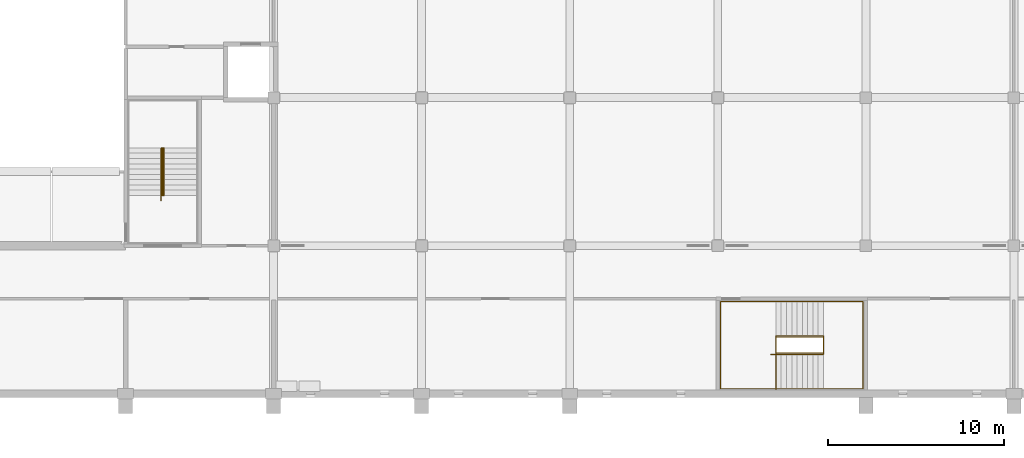
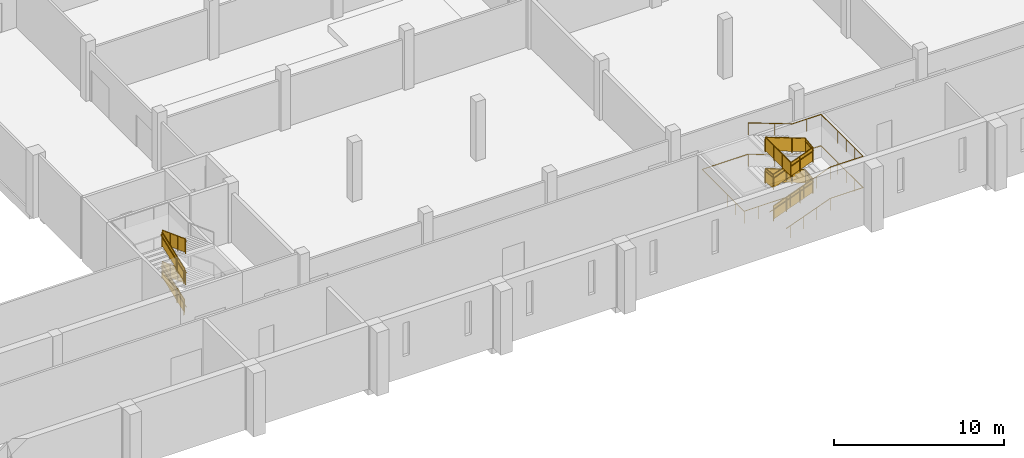
# One storey, part 55 of 64: 8 railings.
"""IFC4 building model written with IfcOpenShell, lengths in metres."""

from ifc_helpers import new_model, si_unit, direction, frame, origin, origin_2d, place, context, subcontext, project, spatial, polyline, circle, outline, extrude, material, type_object, element, save


model = new_model("IFC4")

# Units and contexts
model_context = context("Model", 3, precision=1e-05, world=origin(), true_north=direction((0.0, 1.0)))
body_context = subcontext(model_context, "Body", "Model", "MODEL_VIEW")
ifc_project = project(units=[si_unit("LENGTHUNIT", "METRE"), si_unit("AREAUNIT", "SQUARE_METRE"), si_unit("VOLUMEUNIT", "CUBIC_METRE"), si_unit("PLANEANGLEUNIT", "RADIAN"), si_unit("MASSUNIT", "GRAM", prefix="KILO")], contexts=[model_context])

# Site, building, storey
site_placement = place(None, origin())
site = spatial("IfcSite", under=ifc_project, at=site_placement, CompositionType="ELEMENT")
building_placement = place(site_placement, origin())
building = spatial("IfcBuilding", under=site, at=building_placement, Name="Rulbaag Community and Learning Centre", CompositionType="ELEMENT")
storey_placement = place(building_placement, frame((0.0, 0.0, 5.39990234375)))
storey = spatial("IfcBuildingStorey", under=building, at=storey_placement, Name="L01", CompositionType="ELEMENT", Elevation=5.39990234375)

# Railings
ifc_material_1 = material(Name="Galvanised mild steel", Category="steel")
railing_type_1 = type_object("IfcRailingType", Name="GR-1100 GUARD 1100", PredefinedType="GUARDRAIL", material=ifc_material_1)
railing_1_placement = place(storey_placement, frame((86.080078125, 11.25, 0.112548828125)))
element("IfcRailing", 1, at=railing_1_placement, inside=storey, type_object=railing_type_1, Name="Guard SH2 L01 G", PredefinedType="GUARDRAIL", context=body_context, shape_type="SweptSolid", body=[
    extrude(circle(Radius=0.02490234375, at=origin_2d()), frame((0.0, 0.0, 1.0751953125), z_axis=(0.0, 0.93633265699, 0.351114162993), x_axis=(-1.0, 0.0, 0.0)), (0.0, 0.0, 1.0), 2.883544921875),
    extrude(circle(Radius=0.02001953125, at=origin_2d()), origin(), (0.0, 0.0, 1.0), 1.050048828125),
    extrude(circle(Radius=0.02001953125, at=origin_2d()), frame((0.0, 0.89990234375, 0.33740234375)), (0.0, 0.0, 1.0), 1.050048828125),
    extrude(circle(Radius=0.02001953125, at=origin_2d()), frame((0.0, 1.800048828125, 0.675048828125)), (0.0, 0.0, 1.0), 1.050048828125),
    extrude(circle(Radius=0.02001953125, at=origin_2d()), frame((0.0, 2.699951171875, 1.012451171875)), (0.0, 0.0, 1.0), 1.050048828125),
    extrude(outline(polyline([(0.0, 0.0), (2.699951171875, 1.012451171875), (2.699951171875, 1.96240234375), (0.0, 0.949951171875), (0.0, 0.0)])), frame((-0.0048828125, 0.0, 0.10009765625), z_axis=(1.0, 0.0, 0.0), x_axis=(0.0, 1.0, 0.0)), (0.0, 0.0, 1.0), 0.010009765625),
])
railing_2_placement = place(storey_placement, frame((86.1201171875, 13.949951171875, 1.237548828125)))
element("IfcRailing", 2, at=railing_2_placement, inside=storey, type_object=railing_type_1, Name="Guard SH2 L01 G2", PredefinedType="GUARDRAIL", context=body_context, shape_type="SweptSolid", body=[
    extrude(circle(Radius=0.02490234375, at=origin_2d()), frame((0.0, 0.0, 1.0751953125), z_axis=(0.0, -0.93633265699, 0.351114162993), x_axis=(1.0, 0.0, 0.0)), (0.0, 0.0, 1.0), 2.883544921875),
    extrude(circle(Radius=0.02001953125, at=origin_2d()), origin(), (0.0, 0.0, 1.0), 1.050048828125),
    extrude(circle(Radius=0.02001953125, at=origin_2d()), frame((0.0, -0.89990234375, 0.33740234375)), (0.0, 0.0, 1.0), 1.050048828125),
    extrude(circle(Radius=0.02001953125, at=origin_2d()), frame((0.0, -1.800048828125, 0.675048828125)), (0.0, 0.0, 1.0), 1.050048828125),
    extrude(circle(Radius=0.02001953125, at=origin_2d()), frame((0.0, -2.699951171875, 1.012451171875)), (0.0, 0.0, 1.0), 1.050048828125),
    extrude(outline(polyline([(0.0, 0.0), (2.699951171875, 1.012451171875), (2.699951171875, 1.96240234375), (0.0, 0.949951171875), (0.0, 0.0)])), frame((0.0048828125, 0.0, 0.10009765625), z_axis=(-1.0, 0.0, 0.0), x_axis=(0.0, -1.0, 0.0)), (0.0, 0.0, 1.0), 0.010009765625),
])
railing_3_placement = place(storey_placement, frame((86.080078125, 11.25, 2.362548828125)))
element("IfcRailing", 3, at=railing_3_placement, inside=storey, type_object=railing_type_1, Name="Guard SH2 L01 G3", PredefinedType="GUARDRAIL", context=body_context, shape_type="SweptSolid", body=[
    extrude(circle(Radius=0.02490234375, at=origin_2d()), frame((0.0, 0.0, 1.0751953125), z_axis=(0.0, 0.93633265699, 0.351114162993), x_axis=(-1.0, 0.0, 0.0)), (0.0, 0.0, 1.0), 2.883544921875),
    extrude(circle(Radius=0.02001953125, at=origin_2d()), origin(), (0.0, 0.0, 1.0), 1.050048828125),
    extrude(circle(Radius=0.02001953125, at=origin_2d()), frame((0.0, 0.89990234375, 0.33740234375)), (0.0, 0.0, 1.0), 1.050048828125),
    extrude(circle(Radius=0.02001953125, at=origin_2d()), frame((0.0, 1.800048828125, 0.675048828125)), (0.0, 0.0, 1.0), 1.050048828125),
    extrude(circle(Radius=0.02001953125, at=origin_2d()), frame((0.0, 2.699951171875, 1.012451171875)), (0.0, 0.0, 1.0), 1.050048828125),
    extrude(outline(polyline([(0.0, 0.0), (2.699951171875, 1.012451171875), (2.699951171875, 1.96240234375), (0.0, 0.949951171875), (0.0, 0.0)])), frame((-0.0048828125, 0.0, 0.10009765625), z_axis=(1.0, 0.0, 0.0), x_axis=(0.0, 1.0, 0.0)), (0.0, 0.0, 1.0), 0.010009765625),
])
railing_4_placement = place(storey_placement, frame((86.1201171875, 13.949951171875, 3.487548828125)))
element("IfcRailing", 4, at=railing_4_placement, inside=storey, type_object=railing_type_1, Name="Guard SH2 L01 G4", PredefinedType="GUARDRAIL", context=body_context, shape_type="SweptSolid", body=[
    extrude(circle(Radius=0.02490234375, at=origin_2d()), frame((0.0, 0.0, 1.0751953125), z_axis=(0.0, -0.93633265699, 0.351114162993), x_axis=(1.0, 0.0, 0.0)), (0.0, 0.0, 1.0), 2.883544921875),
    extrude(circle(Radius=0.02001953125, at=origin_2d()), origin(), (0.0, 0.0, 1.0), 1.050048828125),
    extrude(circle(Radius=0.02001953125, at=origin_2d()), frame((0.0, -0.89990234375, 0.33740234375)), (0.0, 0.0, 1.0), 1.050048828125),
    extrude(circle(Radius=0.02001953125, at=origin_2d()), frame((0.0, -1.800048828125, 0.675048828125)), (0.0, 0.0, 1.0), 1.050048828125),
    extrude(circle(Radius=0.02001953125, at=origin_2d()), frame((0.0, -2.699951171875, 1.012451171875)), (0.0, 0.0, 1.0), 1.050048828125),
    extrude(outline(polyline([(0.0, 0.0), (2.699951171875, 1.012451171875), (2.699951171875, 1.96240234375), (0.0, 0.949951171875), (0.0, 0.0)])), frame((0.0048828125, 0.0, 0.10009765625), z_axis=(-1.0, 0.0, 0.0), x_axis=(0.0, -1.0, 0.0)), (0.0, 0.0, 1.0), 0.010009765625),
])
railing_5_placement = place(storey_placement, frame((120.89990234375, 2.304931640625, 0.112548828125)))
element("IfcRailing", 5, at=railing_5_placement, inside=storey, type_object=railing_type_1, Name="Guard SH11 L01 G", PredefinedType="GUARDRAIL", context=body_context, shape_type="SweptSolid", body=[
    extrude(circle(Radius=0.02490234375, at=origin_2d()), frame((0.0, 0.0, 1.0751953125), z_axis=(0.936343093598, 0.0, 0.351086329941), x_axis=(0.0, 1.0, 0.0)), (0.0, 0.0, 1.0), 2.8837890625),
    extrude(circle(Radius=0.02490234375, at=origin_2d()), frame((2.7001953125, 0.0, 2.08740234375), z_axis=(0.0, 0.992520392836, 0.122078949065), x_axis=(-1.0, 0.0, 0.0)), (0.0, 0.0, 1.0), 0.921875),
    extrude(circle(Radius=0.02490234375, at=origin_2d()), frame((2.7001953125, 0.9150390625, 2.2001953125), z_axis=(-0.936343093598, 0.0, 0.351086329941), x_axis=(0.0, -1.0, 0.0)), (0.0, 0.0, 1.0), 2.8837890625),
    extrude(circle(Radius=0.02490234375, at=origin_2d()), frame((0.0, 0.9150390625, 3.21240234375), z_axis=(0.0, -0.992520392836, 0.122078949065), x_axis=(1.0, 0.0, 0.0)), (0.0, 0.0, 1.0), 0.921875),
    extrude(circle(Radius=0.02490234375, at=origin_2d()), frame((0.0, 0.0, 3.3251953125), z_axis=(0.936343093598, 0.0, 0.351086329941), x_axis=(0.0, 1.0, 0.0)), (0.0, 0.0, 1.0), 2.8837890625),
    extrude(circle(Radius=0.02490234375, at=origin_2d()), frame((2.7001953125, 0.0, 4.33740234375), z_axis=(0.0, 0.992520392836, 0.122078949065), x_axis=(-1.0, 0.0, 0.0)), (0.0, 0.0, 1.0), 0.921875),
    extrude(circle(Radius=0.02490234375, at=origin_2d()), frame((2.7001953125, 0.9150390625, 4.4501953125), z_axis=(-0.936343093598, 0.0, 0.351086329941), x_axis=(0.0, -1.0, 0.0)), (0.0, 0.0, 1.0), 2.8837890625),
    extrude(circle(Radius=0.02490234375, at=origin_2d()), frame((0.0, 0.9150390625, 5.46240234375), z_axis=(0.0, -1.0, 0.0), x_axis=(1.0, 0.0, 0.0)), (0.0, 0.0, 1.0), 2.994873046875),
    extrude(circle(Radius=0.02001953125, at=origin_2d()), origin(), (0.0, 0.0, 1.0), 1.050048828125),
    extrude(circle(Radius=0.02001953125, at=origin_2d()), frame((0.900146484375, 0.0, 0.33740234375)), (0.0, 0.0, 1.0), 1.050048828125),
    extrude(circle(Radius=0.02001953125, at=origin_2d()), frame((1.800048828125, 0.0, 0.675048828125)), (0.0, 0.0, 1.0), 1.050048828125),
    extrude(circle(Radius=0.02001953125, at=origin_2d()), frame((2.7001953125, 0.0, 1.012451171875)), (0.0, 0.0, 1.0), 1.050048828125),
    extrude(circle(Radius=0.02001953125, at=origin_2d()), frame((2.7001953125, 0.9150390625, 1.125)), (0.0, 0.0, 1.0), 1.050048828125),
    extrude(circle(Radius=0.02001953125, at=origin_2d()), frame((1.800048828125, 0.9150390625, 1.46240234375)), (0.0, 0.0, 1.0), 1.050048828125),
    extrude(circle(Radius=0.02001953125, at=origin_2d()), frame((0.900146484375, 0.9150390625, 1.800048828125)), (0.0, 0.0, 1.0), 1.050048828125),
    extrude(circle(Radius=0.02001953125, at=origin_2d()), frame((0.0, 0.9150390625, 2.137451171875)), (0.0, 0.0, 1.0), 1.050048828125),
    extrude(circle(Radius=0.02001953125, at=origin_2d()), frame((0.0, 0.0, 2.25)), (0.0, 0.0, 1.0), 1.050048828125),
    extrude(circle(Radius=0.02001953125, at=origin_2d()), frame((0.900146484375, 0.0, 2.58740234375)), (0.0, 0.0, 1.0), 1.050048828125),
    extrude(circle(Radius=0.02001953125, at=origin_2d()), frame((1.800048828125, 0.0, 2.925048828125)), (0.0, 0.0, 1.0), 1.050048828125),
    extrude(circle(Radius=0.02001953125, at=origin_2d()), frame((2.7001953125, 0.0, 3.262451171875)), (0.0, 0.0, 1.0), 1.050048828125),
    extrude(circle(Radius=0.02001953125, at=origin_2d()), frame((2.7001953125, 0.9150390625, 3.375)), (0.0, 0.0, 1.0), 1.050048828125),
    extrude(circle(Radius=0.02001953125, at=origin_2d()), frame((1.800048828125, 0.9150390625, 3.71240234375)), (0.0, 0.0, 1.0), 1.050048828125),
    extrude(circle(Radius=0.02001953125, at=origin_2d()), frame((0.900146484375, 0.9150390625, 4.050048828125)), (0.0, 0.0, 1.0), 1.050048828125),
    extrude(circle(Radius=0.02001953125, at=origin_2d()), frame((0.0, 0.9150390625, 4.387451171875)), (0.0, 0.0, 1.0), 1.050048828125),
    extrude(circle(Radius=0.02001953125, at=origin_2d()), frame((0.0, -0.083251953125, 4.387451171875)), (0.0, 0.0, 1.0), 1.050048828125),
    extrude(circle(Radius=0.02001953125, at=origin_2d()), frame((0.0, -1.08154296875, 4.387451171875)), (0.0, 0.0, 1.0), 1.050048828125),
    extrude(circle(Radius=0.02001953125, at=origin_2d()), frame((0.0, -2.079833984375, 4.387451171875)), (0.0, 0.0, 1.0), 1.050048828125),
    extrude(outline(polyline([(0.0, 0.0), (2.7001953125, 1.012451171875), (2.7001953125, 1.96240234375), (0.0, 0.949951171875), (0.0, 0.0)])), frame((0.0, 0.0048828125, 0.10009765625), z_axis=(0.0, -1.0, 0.0), x_axis=(1.0, 0.0, 0.0)), (0.0, 0.0, 1.0), 0.010009765625),
    extrude(outline(polyline([(0.0, 0.0), (0.9150390625, 0.112548828125), (0.9150390625, 1.0625), (0.0, 0.949951171875), (0.0, 0.0)])), frame((2.6953125, 0.0, 1.112548828125), z_axis=(1.0, 0.0, 0.0), x_axis=(0.0, 1.0, 0.0)), (0.0, 0.0, 1.0), 0.010009765625),
    extrude(outline(polyline([(0.0, 0.0), (2.7001953125, 1.012451171875), (2.7001953125, 1.96240234375), (0.0, 0.949951171875), (0.0, 0.0)])), frame((2.7001953125, 0.91015625, 1.22509765625), z_axis=(0.0, 1.0, 0.0), x_axis=(-1.0, 0.0, 0.0)), (0.0, 0.0, 1.0), 0.010009765625),
    extrude(outline(polyline([(0.0, 0.0), (0.9150390625, 0.112548828125), (0.9150390625, 1.0625), (0.0, 0.949951171875), (0.0, 0.0)])), frame((0.0048828125, 0.9150390625, 2.237548828125), z_axis=(-1.0, 0.0, 0.0), x_axis=(0.0, -1.0, 0.0)), (0.0, 0.0, 1.0), 0.010009765625),
    extrude(outline(polyline([(0.0, 0.0), (2.7001953125, 1.012451171875), (2.7001953125, 1.96240234375), (0.0, 0.949951171875), (0.0, 0.0)])), frame((0.0, 0.0048828125, 2.35009765625), z_axis=(0.0, -1.0, 0.0), x_axis=(1.0, 0.0, 0.0)), (0.0, 0.0, 1.0), 0.010009765625),
    extrude(outline(polyline([(0.0, 0.0), (0.9150390625, 0.112548828125), (0.9150390625, 1.0625), (0.0, 0.949951171875), (0.0, 0.0)])), frame((2.6953125, 0.0, 3.362548828125), z_axis=(1.0, 0.0, 0.0), x_axis=(0.0, 1.0, 0.0)), (0.0, 0.0, 1.0), 0.010009765625),
    extrude(outline(polyline([(0.0, 0.0), (2.7001953125, 1.012451171875), (2.7001953125, 1.96240234375), (0.0, 0.949951171875), (0.0, 0.0)])), frame((2.7001953125, 0.91015625, 3.47509765625), z_axis=(0.0, 1.0, 0.0), x_axis=(-1.0, 0.0, 0.0)), (0.0, 0.0, 1.0), 0.010009765625),
    extrude(outline(polyline([(0.0, 0.0), (2.994873046875, 0.0), (2.994873046875, 0.949951171875), (0.0, 0.949951171875), (0.0, 0.0)])), frame((0.0048828125, 0.9150390625, 4.487548828125), z_axis=(-1.0, 0.0, 0.0), x_axis=(0.0, -1.0, 0.0)), (0.0, 0.0, 1.0), 0.010009765625),
])
ifc_material_2 = material(Name="Stainless steel grade 316", Category="steel")
railing_type_2 = type_object("IfcRailingType", Name="HR-900 HANDRAIL 900", PredefinedType="HANDRAIL", material=ifc_material_2)
railing_6_placement = place(storey_placement, frame((86.010009765625, 10.949951171875, 0.0)))
element("IfcRailing", 6, at=railing_6_placement, inside=storey, type_object=railing_type_2, Name="Handrail SH2 L01 I", PredefinedType="HANDRAIL", context=body_context, shape_type="SweptSolid", body=[
    extrude(circle(Radius=0.024169921875, at=origin_2d()), frame((0.0, 0.0, 0.875732421875), z_axis=(0.0, 0.936297865471, 0.351206929196), x_axis=(-1.0, 0.0, 0.0)), (0.0, 0.0, 1.0), 0.320556640625),
    extrude(circle(Radius=0.024169921875, at=origin_2d()), frame((0.0, 0.300048828125, 0.98828125), z_axis=(0.0, 0.93633265699, 0.351114162993), x_axis=(-1.0, 0.0, 0.0)), (0.0, 0.0, 1.0), 2.883544921875),
    extrude(circle(Radius=0.024169921875, at=origin_2d()), frame((0.0, 3.0, 2.000732421875), z_axis=(0.847804368873, 0.0, 0.530309109973), x_axis=(0.0, 1.0, 0.0)), (0.0, 0.0, 1.0), 0.212158203125),
    extrude(circle(Radius=0.024169921875, at=origin_2d()), frame((0.179931640625, 3.0, 2.11328125), z_axis=(0.0, -0.93633265699, 0.351114162993), x_axis=(1.0, 0.0, 0.0)), (0.0, 0.0, 1.0), 2.883544921875),
    extrude(circle(Radius=0.024169921875, at=origin_2d()), frame((0.179931640625, 0.300048828125, 3.125732421875), z_axis=(-0.847804368873, 0.0, 0.530309109973), x_axis=(0.0, -1.0, 0.0)), (0.0, 0.0, 1.0), 0.212158203125),
    extrude(circle(Radius=0.024169921875, at=origin_2d()), frame((0.0, 0.300048828125, 3.23828125), z_axis=(0.0, 0.93633265699, 0.351114162993), x_axis=(-1.0, 0.0, 0.0)), (0.0, 0.0, 1.0), 2.883544921875),
    extrude(circle(Radius=0.024169921875, at=origin_2d()), frame((0.0, 3.0, 4.250732421875), z_axis=(0.847804368873, 0.0, 0.530309109973), x_axis=(0.0, 1.0, 0.0)), (0.0, 0.0, 1.0), 0.212158203125),
    extrude(circle(Radius=0.024169921875, at=origin_2d()), frame((0.179931640625, 3.0, 4.36328125), z_axis=(0.0, -0.93633265699, 0.351114162993), x_axis=(1.0, 0.0, 0.0)), (0.0, 0.0, 1.0), 2.883544921875),
    extrude(circle(Radius=0.008056640625, at=origin_2d()), origin(), (0.0, 0.0, 1.0), 0.8515625),
    extrude(circle(Radius=0.008056640625, at=origin_2d()), frame((0.0, 0.300048828125, 0.112548828125)), (0.0, 0.0, 1.0), 0.8515625),
    extrude(circle(Radius=0.008056640625, at=origin_2d()), frame((0.0, 1.199951171875, 0.449951171875)), (0.0, 0.0, 1.0), 0.8515625),
    extrude(circle(Radius=0.008056640625, at=origin_2d()), frame((0.0, 2.10009765625, 0.78759765625)), (0.0, 0.0, 1.0), 0.8515625),
    extrude(circle(Radius=0.008056640625, at=origin_2d()), frame((0.0, 3.0, 1.125)), (0.0, 0.0, 1.0), 0.8515625),
    extrude(circle(Radius=0.008056640625, at=origin_2d()), frame((0.179931640625, 3.0, 1.237548828125)), (0.0, 0.0, 1.0), 0.8515625),
    extrude(circle(Radius=0.008056640625, at=origin_2d()), frame((0.179931640625, 2.10009765625, 1.574951171875)), (0.0, 0.0, 1.0), 0.8515625),
    extrude(circle(Radius=0.008056640625, at=origin_2d()), frame((0.179931640625, 1.199951171875, 1.91259765625)), (0.0, 0.0, 1.0), 0.8515625),
    extrude(circle(Radius=0.008056640625, at=origin_2d()), frame((0.179931640625, 0.300048828125, 2.25)), (0.0, 0.0, 1.0), 0.8515625),
    extrude(circle(Radius=0.008056640625, at=origin_2d()), frame((0.0, 0.300048828125, 2.362548828125)), (0.0, 0.0, 1.0), 0.8515625),
    extrude(circle(Radius=0.008056640625, at=origin_2d()), frame((0.0, 1.199951171875, 2.699951171875)), (0.0, 0.0, 1.0), 0.8515625),
    extrude(circle(Radius=0.008056640625, at=origin_2d()), frame((0.0, 2.10009765625, 3.03759765625)), (0.0, 0.0, 1.0), 0.8515625),
    extrude(circle(Radius=0.008056640625, at=origin_2d()), frame((0.0, 3.0, 3.375)), (0.0, 0.0, 1.0), 0.8515625),
    extrude(circle(Radius=0.008056640625, at=origin_2d()), frame((0.179931640625, 3.0, 3.487548828125)), (0.0, 0.0, 1.0), 0.8515625),
    extrude(circle(Radius=0.008056640625, at=origin_2d()), frame((0.179931640625, 2.10009765625, 3.824951171875)), (0.0, 0.0, 1.0), 0.8515625),
    extrude(circle(Radius=0.008056640625, at=origin_2d()), frame((0.179931640625, 1.199951171875, 4.16259765625)), (0.0, 0.0, 1.0), 0.8515625),
    extrude(circle(Radius=0.008056640625, at=origin_2d()), frame((0.179931640625, 0.300048828125, 4.5)), (0.0, 0.0, 1.0), 0.8515625),
])
railing_7_placement = place(storey_placement, frame((120.60009765625, 0.284912109375, 0.0)))
element("IfcRailing", 7, at=railing_7_placement, inside=storey, type_object=railing_type_2, Name="Handrail SH11 L01 O", PredefinedType="HANDRAIL", context=body_context, shape_type="SweptSolid", body=[
    extrude(circle(Radius=0.024169921875, at=origin_2d()), frame((0.0, 0.0, 0.875732421875), z_axis=(0.936203795034, 0.0, 0.351457613608), x_axis=(0.0, 1.0, 0.0)), (0.0, 0.0, 1.0), 0.3203125),
    extrude(circle(Radius=0.024169921875, at=origin_2d()), frame((0.2998046875, 0.0, 0.98828125), z_axis=(0.936343093598, 0.0, 0.351086329941), x_axis=(0.0, 1.0, 0.0)), (0.0, 0.0, 1.0), 2.8837890625),
    extrude(circle(Radius=0.024169921875, at=origin_2d()), frame((3.0, 0.0, 2.000732421875), z_axis=(1.0, 0.0, 0.0), x_axis=(0.0, 1.0, 0.0)), (0.0, 0.0, 1.0), 2.239990234375),
    extrude(circle(Radius=0.024169921875, at=origin_2d()), frame((5.239990234375, 0.0, 2.000732421875), z_axis=(0.0, 1.0, 0.0), x_axis=(-1.0, 0.0, 0.0)), (0.0, 0.0, 1.0), 4.955078125),
    extrude(circle(Radius=0.024169921875, at=origin_2d()), frame((5.239990234375, 4.955078125, 2.000732421875), z_axis=(-1.0, 0.0, 0.0), x_axis=(0.0, -1.0, 0.0)), (0.0, 0.0, 1.0), 1.940185546875),
    extrude(circle(Radius=0.024169921875, at=origin_2d()), frame((3.2998046875, 4.955078125, 2.000732421875), z_axis=(-0.936203795034, 0.0, 0.351457613608), x_axis=(0.0, -1.0, 0.0)), (0.0, 0.0, 1.0), 0.3203125),
    extrude(circle(Radius=0.024169921875, at=origin_2d()), frame((3.0, 4.955078125, 2.11328125), z_axis=(-0.936343093598, 0.0, 0.351086329941), x_axis=(0.0, -1.0, 0.0)), (0.0, 0.0, 1.0), 2.8837890625),
    extrude(circle(Radius=0.024169921875, at=origin_2d()), frame((0.2998046875, 4.955078125, 3.125732421875), z_axis=(-1.0, 0.0, 0.0), x_axis=(0.0, -1.0, 0.0)), (0.0, 0.0, 1.0), 3.139892578125),
    extrude(circle(Radius=0.024169921875, at=origin_2d()), frame((-2.840087890625, 4.955078125, 3.125732421875), z_axis=(0.0, -1.0, 0.0), x_axis=(1.0, 0.0, 0.0)), (0.0, 0.0, 1.0), 4.955078125),
    extrude(circle(Radius=0.024169921875, at=origin_2d()), frame((-2.840087890625, 0.0, 3.125732421875), z_axis=(1.0, 0.0, 0.0), x_axis=(0.0, 1.0, 0.0)), (0.0, 0.0, 1.0), 2.840087890625),
    extrude(circle(Radius=0.024169921875, at=origin_2d()), frame((0.0, 0.0, 3.125732421875), z_axis=(0.936203795034, 0.0, 0.351457613608), x_axis=(0.0, 1.0, 0.0)), (0.0, 0.0, 1.0), 0.3203125),
    extrude(circle(Radius=0.024169921875, at=origin_2d()), frame((0.2998046875, 0.0, 3.23828125), z_axis=(0.936343093598, 0.0, 0.351086329941), x_axis=(0.0, 1.0, 0.0)), (0.0, 0.0, 1.0), 2.8837890625),
    extrude(circle(Radius=0.024169921875, at=origin_2d()), frame((3.0, 0.0, 4.250732421875), z_axis=(1.0, 0.0, 0.0), x_axis=(0.0, 1.0, 0.0)), (0.0, 0.0, 1.0), 2.239990234375),
    extrude(circle(Radius=0.024169921875, at=origin_2d()), frame((5.239990234375, 0.0, 4.250732421875), z_axis=(0.0, 1.0, 0.0), x_axis=(-1.0, 0.0, 0.0)), (0.0, 0.0, 1.0), 4.955078125),
    extrude(circle(Radius=0.024169921875, at=origin_2d()), frame((5.239990234375, 4.955078125, 4.250732421875), z_axis=(-1.0, 0.0, 0.0), x_axis=(0.0, -1.0, 0.0)), (0.0, 0.0, 1.0), 1.940185546875),
    extrude(circle(Radius=0.024169921875, at=origin_2d()), frame((3.2998046875, 4.955078125, 4.250732421875), z_axis=(-0.936203795034, 0.0, 0.351457613608), x_axis=(0.0, -1.0, 0.0)), (0.0, 0.0, 1.0), 0.3203125),
    extrude(circle(Radius=0.024169921875, at=origin_2d()), frame((3.0, 4.955078125, 4.36328125), z_axis=(-0.936343093598, 0.0, 0.351086329941), x_axis=(0.0, -1.0, 0.0)), (0.0, 0.0, 1.0), 2.8837890625),
    extrude(circle(Radius=0.008056640625, at=origin_2d()), origin(), (0.0, 0.0, 1.0), 0.8515625),
    extrude(circle(Radius=0.008056640625, at=origin_2d()), frame((0.2998046875, 0.0, 0.112548828125)), (0.0, 0.0, 1.0), 0.8515625),
    extrude(circle(Radius=0.008056640625, at=origin_2d()), frame((1.199951171875, 0.0, 0.449951171875)), (0.0, 0.0, 1.0), 0.8515625),
    extrude(circle(Radius=0.008056640625, at=origin_2d()), frame((2.099853515625, 0.0, 0.78759765625)), (0.0, 0.0, 1.0), 0.8515625),
    extrude(circle(Radius=0.008056640625, at=origin_2d()), frame((3.0, 0.0, 1.125)), (0.0, 0.0, 1.0), 0.8515625),
    extrude(circle(Radius=0.008056640625, at=origin_2d()), frame((4.1201171875, 0.0, 1.125)), (0.0, 0.0, 1.0), 0.8515625),
    extrude(circle(Radius=0.008056640625, at=origin_2d()), frame((5.239990234375, 0.0, 1.125)), (0.0, 0.0, 1.0), 0.8515625),
    extrude(circle(Radius=0.008056640625, at=origin_2d()), frame((5.239990234375, 0.990966796875, 1.125)), (0.0, 0.0, 1.0), 0.8515625),
    extrude(circle(Radius=0.008056640625, at=origin_2d()), frame((5.239990234375, 1.98193359375, 1.125)), (0.0, 0.0, 1.0), 0.8515625),
    extrude(circle(Radius=0.008056640625, at=origin_2d()), frame((5.239990234375, 2.97314453125, 1.125)), (0.0, 0.0, 1.0), 0.8515625),
    extrude(circle(Radius=0.008056640625, at=origin_2d()), frame((5.239990234375, 3.964111328125, 1.125)), (0.0, 0.0, 1.0), 0.8515625),
    extrude(circle(Radius=0.008056640625, at=origin_2d()), frame((5.239990234375, 4.955078125, 1.125)), (0.0, 0.0, 1.0), 0.8515625),
    extrude(circle(Radius=0.008056640625, at=origin_2d()), frame((4.27001953125, 4.955078125, 1.125)), (0.0, 0.0, 1.0), 0.8515625),
    extrude(circle(Radius=0.008056640625, at=origin_2d()), frame((3.2998046875, 4.955078125, 1.125)), (0.0, 0.0, 1.0), 0.8515625),
    extrude(circle(Radius=0.008056640625, at=origin_2d()), frame((3.0, 4.955078125, 1.237548828125)), (0.0, 0.0, 1.0), 0.8515625),
    extrude(circle(Radius=0.008056640625, at=origin_2d()), frame((2.099853515625, 4.955078125, 1.574951171875)), (0.0, 0.0, 1.0), 0.8515625),
    extrude(circle(Radius=0.008056640625, at=origin_2d()), frame((1.199951171875, 4.955078125, 1.91259765625)), (0.0, 0.0, 1.0), 0.8515625),
    extrude(circle(Radius=0.008056640625, at=origin_2d()), frame((0.2998046875, 4.955078125, 2.25)), (0.0, 0.0, 1.0), 0.8515625),
    extrude(circle(Radius=0.008056640625, at=origin_2d()), frame((-0.746826171875, 4.955078125, 2.25)), (0.0, 0.0, 1.0), 0.8515625),
    extrude(circle(Radius=0.008056640625, at=origin_2d()), frame((-1.79345703125, 4.955078125, 2.25)), (0.0, 0.0, 1.0), 0.8515625),
    extrude(circle(Radius=0.008056640625, at=origin_2d()), frame((-2.840087890625, 4.955078125, 2.25)), (0.0, 0.0, 1.0), 0.8515625),
    extrude(circle(Radius=0.008056640625, at=origin_2d()), frame((-2.840087890625, 3.964111328125, 2.25)), (0.0, 0.0, 1.0), 0.8515625),
    extrude(circle(Radius=0.008056640625, at=origin_2d()), frame((-2.840087890625, 2.97314453125, 2.25)), (0.0, 0.0, 1.0), 0.8515625),
    extrude(circle(Radius=0.008056640625, at=origin_2d()), frame((-2.840087890625, 1.98193359375, 2.25)), (0.0, 0.0, 1.0), 0.8515625),
    extrude(circle(Radius=0.008056640625, at=origin_2d()), frame((-2.840087890625, 0.990966796875, 2.25)), (0.0, 0.0, 1.0), 0.8515625),
    extrude(circle(Radius=0.008056640625, at=origin_2d()), frame((-2.840087890625, 0.0, 2.25)), (0.0, 0.0, 1.0), 0.8515625),
    extrude(circle(Radius=0.008056640625, at=origin_2d()), frame((-1.893310546875, 0.0, 2.25)), (0.0, 0.0, 1.0), 0.8515625),
    extrude(circle(Radius=0.008056640625, at=origin_2d()), frame((-0.94677734375, 0.0, 2.25)), (0.0, 0.0, 1.0), 0.8515625),
    extrude(circle(Radius=0.008056640625, at=origin_2d()), frame((0.0, 0.0, 2.25)), (0.0, 0.0, 1.0), 0.8515625),
    extrude(circle(Radius=0.008056640625, at=origin_2d()), frame((0.2998046875, 0.0, 2.362548828125)), (0.0, 0.0, 1.0), 0.8515625),
    extrude(circle(Radius=0.008056640625, at=origin_2d()), frame((1.199951171875, 0.0, 2.699951171875)), (0.0, 0.0, 1.0), 0.8515625),
    extrude(circle(Radius=0.008056640625, at=origin_2d()), frame((2.099853515625, 0.0, 3.03759765625)), (0.0, 0.0, 1.0), 0.8515625),
    extrude(circle(Radius=0.008056640625, at=origin_2d()), frame((3.0, 0.0, 3.375)), (0.0, 0.0, 1.0), 0.8515625),
    extrude(circle(Radius=0.008056640625, at=origin_2d()), frame((4.1201171875, 0.0, 3.375)), (0.0, 0.0, 1.0), 0.8515625),
    extrude(circle(Radius=0.008056640625, at=origin_2d()), frame((5.239990234375, 0.0, 3.375)), (0.0, 0.0, 1.0), 0.8515625),
    extrude(circle(Radius=0.008056640625, at=origin_2d()), frame((5.239990234375, 0.990966796875, 3.375)), (0.0, 0.0, 1.0), 0.8515625),
    extrude(circle(Radius=0.008056640625, at=origin_2d()), frame((5.239990234375, 1.98193359375, 3.375)), (0.0, 0.0, 1.0), 0.8515625),
    extrude(circle(Radius=0.008056640625, at=origin_2d()), frame((5.239990234375, 2.97314453125, 3.375)), (0.0, 0.0, 1.0), 0.8515625),
    extrude(circle(Radius=0.008056640625, at=origin_2d()), frame((5.239990234375, 3.964111328125, 3.375)), (0.0, 0.0, 1.0), 0.8515625),
    extrude(circle(Radius=0.008056640625, at=origin_2d()), frame((5.239990234375, 4.955078125, 3.375)), (0.0, 0.0, 1.0), 0.8515625),
    extrude(circle(Radius=0.008056640625, at=origin_2d()), frame((4.27001953125, 4.955078125, 3.375)), (0.0, 0.0, 1.0), 0.8515625),
    extrude(circle(Radius=0.008056640625, at=origin_2d()), frame((3.2998046875, 4.955078125, 3.375)), (0.0, 0.0, 1.0), 0.8515625),
    extrude(circle(Radius=0.008056640625, at=origin_2d()), frame((3.0, 4.955078125, 3.487548828125)), (0.0, 0.0, 1.0), 0.8515625),
    extrude(circle(Radius=0.008056640625, at=origin_2d()), frame((2.099853515625, 4.955078125, 3.824951171875)), (0.0, 0.0, 1.0), 0.8515625),
    extrude(circle(Radius=0.008056640625, at=origin_2d()), frame((1.199951171875, 4.955078125, 4.16259765625)), (0.0, 0.0, 1.0), 0.8515625),
    extrude(circle(Radius=0.008056640625, at=origin_2d()), frame((0.2998046875, 4.955078125, 4.5)), (0.0, 0.0, 1.0), 0.8515625),
])
railing_8_placement = place(storey_placement, frame((120.60009765625, 2.235107421875, 0.0)))
element("IfcRailing", 8, at=railing_8_placement, inside=storey, type_object=railing_type_2, Name="Handrail SH11 L01 I", PredefinedType="HANDRAIL", context=body_context, shape_type="SweptSolid", body=[
    extrude(circle(Radius=0.024169921875, at=origin_2d()), frame((0.0, 0.0, 0.875732421875), z_axis=(0.936203795034, 0.0, 0.351457613608), x_axis=(0.0, 1.0, 0.0)), (0.0, 0.0, 1.0), 0.3203125),
    extrude(circle(Radius=0.024169921875, at=origin_2d()), frame((0.2998046875, 0.0, 0.98828125), z_axis=(0.936343093598, 0.0, 0.351086329941), x_axis=(0.0, 1.0, 0.0)), (0.0, 0.0, 1.0), 2.8837890625),
    extrude(circle(Radius=0.024169921875, at=origin_2d()), frame((3.0, 0.0, 2.000732421875), z_axis=(0.0, 0.994356935106, 0.106086217793), x_axis=(-1.0, 0.0, 0.0)), (0.0, 0.0, 1.0), 1.06103515625),
    extrude(circle(Radius=0.024169921875, at=origin_2d()), frame((3.0, 1.054931640625, 2.11328125), z_axis=(-0.936343093598, 0.0, 0.351086329941), x_axis=(0.0, -1.0, 0.0)), (0.0, 0.0, 1.0), 2.8837890625),
    extrude(circle(Radius=0.024169921875, at=origin_2d()), frame((0.2998046875, 1.054931640625, 3.125732421875), z_axis=(0.0, -0.994356935106, 0.106086217793), x_axis=(1.0, 0.0, 0.0)), (0.0, 0.0, 1.0), 1.06103515625),
    extrude(circle(Radius=0.024169921875, at=origin_2d()), frame((0.2998046875, 0.0, 3.23828125), z_axis=(0.936343093598, 0.0, 0.351086329941), x_axis=(0.0, 1.0, 0.0)), (0.0, 0.0, 1.0), 2.8837890625),
    extrude(circle(Radius=0.024169921875, at=origin_2d()), frame((3.0, 0.0, 4.250732421875), z_axis=(0.0, 0.994356935106, 0.106086217793), x_axis=(-1.0, 0.0, 0.0)), (0.0, 0.0, 1.0), 1.06103515625),
    extrude(circle(Radius=0.024169921875, at=origin_2d()), frame((3.0, 1.054931640625, 4.36328125), z_axis=(-0.936343093598, 0.0, 0.351086329941), x_axis=(0.0, -1.0, 0.0)), (0.0, 0.0, 1.0), 2.8837890625),
    extrude(circle(Radius=0.008056640625, at=origin_2d()), origin(), (0.0, 0.0, 1.0), 0.8515625),
    extrude(circle(Radius=0.008056640625, at=origin_2d()), frame((0.2998046875, 0.0, 0.112548828125)), (0.0, 0.0, 1.0), 0.8515625),
    extrude(circle(Radius=0.008056640625, at=origin_2d()), frame((1.199951171875, 0.0, 0.449951171875)), (0.0, 0.0, 1.0), 0.8515625),
    extrude(circle(Radius=0.008056640625, at=origin_2d()), frame((2.099853515625, 0.0, 0.78759765625)), (0.0, 0.0, 1.0), 0.8515625),
    extrude(circle(Radius=0.008056640625, at=origin_2d()), frame((3.0, 0.0, 1.125)), (0.0, 0.0, 1.0), 0.8515625),
    extrude(circle(Radius=0.008056640625, at=origin_2d()), frame((3.0, 1.054931640625, 1.237548828125)), (0.0, 0.0, 1.0), 0.8515625),
    extrude(circle(Radius=0.008056640625, at=origin_2d()), frame((2.099853515625, 1.054931640625, 1.574951171875)), (0.0, 0.0, 1.0), 0.8515625),
    extrude(circle(Radius=0.008056640625, at=origin_2d()), frame((1.199951171875, 1.054931640625, 1.91259765625)), (0.0, 0.0, 1.0), 0.8515625),
    extrude(circle(Radius=0.008056640625, at=origin_2d()), frame((0.2998046875, 1.054931640625, 2.25)), (0.0, 0.0, 1.0), 0.8515625),
    extrude(circle(Radius=0.008056640625, at=origin_2d()), frame((0.2998046875, 0.0, 2.362548828125)), (0.0, 0.0, 1.0), 0.8515625),
    extrude(circle(Radius=0.008056640625, at=origin_2d()), frame((1.199951171875, 0.0, 2.699951171875)), (0.0, 0.0, 1.0), 0.8515625),
    extrude(circle(Radius=0.008056640625, at=origin_2d()), frame((2.099853515625, 0.0, 3.03759765625)), (0.0, 0.0, 1.0), 0.8515625),
    extrude(circle(Radius=0.008056640625, at=origin_2d()), frame((3.0, 0.0, 3.375)), (0.0, 0.0, 1.0), 0.8515625),
    extrude(circle(Radius=0.008056640625, at=origin_2d()), frame((3.0, 1.054931640625, 3.487548828125)), (0.0, 0.0, 1.0), 0.8515625),
    extrude(circle(Radius=0.008056640625, at=origin_2d()), frame((2.099853515625, 1.054931640625, 3.824951171875)), (0.0, 0.0, 1.0), 0.8515625),
    extrude(circle(Radius=0.008056640625, at=origin_2d()), frame((1.199951171875, 1.054931640625, 4.16259765625)), (0.0, 0.0, 1.0), 0.8515625),
    extrude(circle(Radius=0.008056640625, at=origin_2d()), frame((0.2998046875, 1.054931640625, 4.5)), (0.0, 0.0, 1.0), 0.8515625),
])

save(model, "model.ifc")
